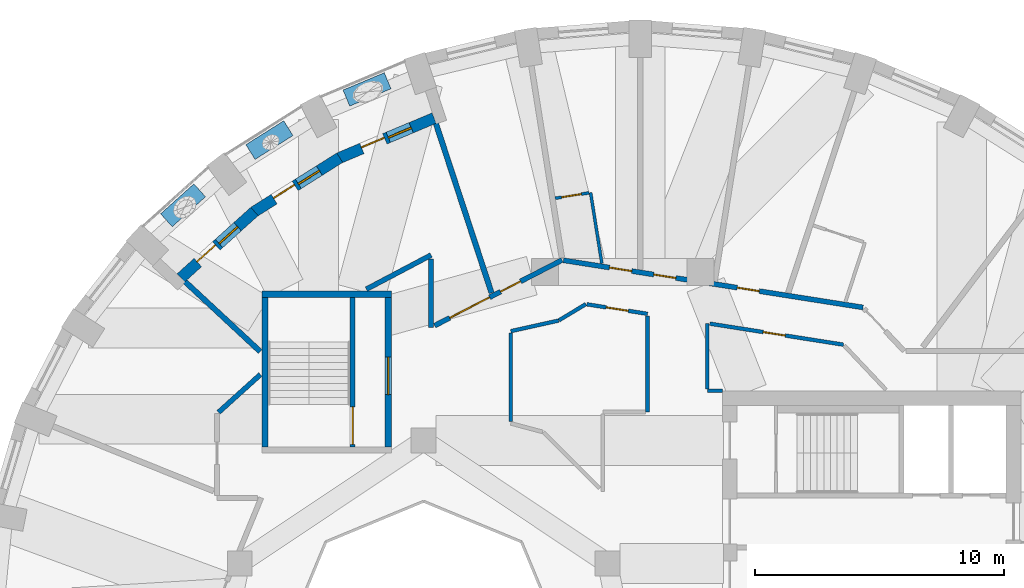
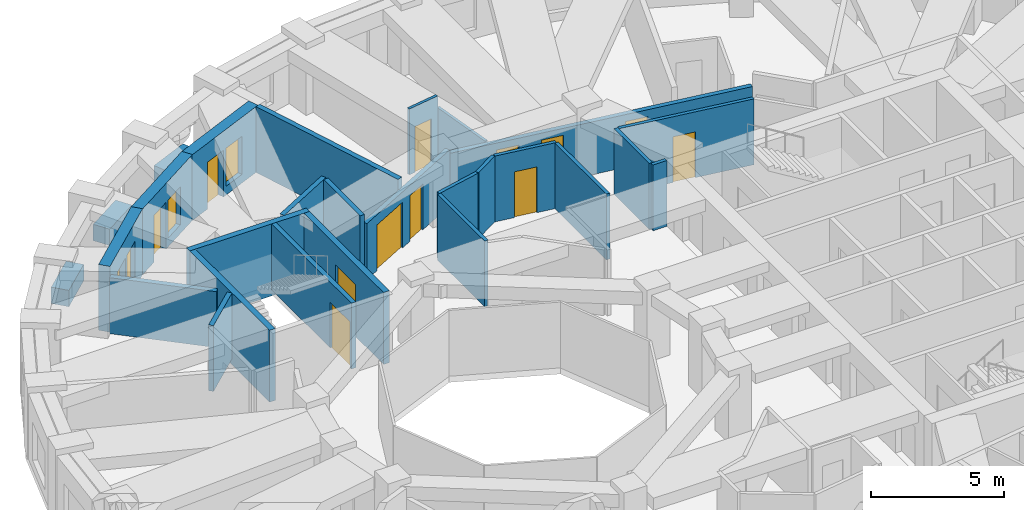
# One storey, part 7 of 12: 27 walls, 13 doors, 3 windows, 16 openings.
"""IFC4 building model written with IfcOpenShell, lengths in metres."""

import ifcopenshell
import ifcopenshell.guid

model = None  # the IFC model being written
_history = None  # IfcOwnerHistory: only IFC2X3 demands one
_inside = {}  # id of a spatial element -> (the spatial element, [elements in it])
_under = {}  # id of a project, library or spatial element -> (it, [spatial elements below it])
_declared = {}  # id of a project -> (the project, [libraries it declares])
_typed = {}  # id of a type object -> (the type object, [elements of that type])
_made_of = {}  # id of a material, layer set ... -> (it, [elements and type objects made of it])


def new_model(schema):
    """Start an empty IFC model of exactly this schema.

    Asked for "IFC4X3", IfcOpenShell would pick the latest addendum, in which some entities
    have other attributes; the version numbers below select the first issue.
    IFC2X3 requires an IfcOwnerHistory on every rooted entity: one is made here for all.
    """
    global model, _history
    if schema == "IFC4X3":
        model = ifcopenshell.file(schema_version=(4, 3, 0, 0))
    else:
        model = ifcopenshell.file(schema=schema)
    _inside.clear()
    _under.clear()
    _declared.clear()
    _typed.clear()
    _made_of.clear()
    _history = None
    if model.schema == "IFC2X3":
        org = make("IfcOrganization", Name="unknown")
        user = make(
            "IfcPersonAndOrganization",
            ThePerson=make("IfcPerson", FamilyName="unknown"),
            TheOrganization=org,
        )
        app = make(
            "IfcApplication",
            ApplicationDeveloper=org,
            Version="unknown",
            ApplicationFullName="unknown",
            ApplicationIdentifier="unknown",
        )
        _history = make(
            "IfcOwnerHistory",
            OwningUser=user,
            OwningApplication=app,
            ChangeAction="ADDED",
            CreationDate=0,
        )
    return model


def make(cls, **values):
    """One entity of the class cls with the attributes given. An attribute that is None is left unset."""
    return model.create_entity(
        cls, **{name: value for name, value in values.items() if value is not None}
    )


def rooted(cls, **values):
    """An entity with a GlobalId (a new one), such as an element, a storey or a relation."""
    return make(cls, GlobalId=ifcopenshell.guid.new(), OwnerHistory=_history, **values)


def si_unit(unit_type, name, prefix=None):
    """IfcSIUnit, for example si_unit("LENGTHUNIT", "METRE", prefix="MILLI")."""
    return make("IfcSIUnit", UnitType=unit_type, Prefix=prefix, Name=name)


def assignment(units):
    """IfcUnitAssignment: the units of a project."""
    return None if units is None else make("IfcUnitAssignment", Units=units)


def point(xyz):
    """IfcCartesianPoint."""
    return None if xyz is None else make("IfcCartesianPoint", Coordinates=xyz)


def direction(xyz):
    """IfcDirection."""
    return None if xyz is None else make("IfcDirection", DirectionRatios=xyz)


def frame(location, z_axis=None, x_axis=None):
    """IfcAxis2Placement3D, a coordinate frame: its origin and axes. An axis left out is left unset."""
    return make(
        "IfcAxis2Placement3D",
        Location=point(location),
        Axis=direction(z_axis),
        RefDirection=direction(x_axis),
    )


def frame_2d(location, x_axis=None):
    """IfcAxis2Placement2D, a coordinate frame in the plane: its origin and x axis."""
    return make(
        "IfcAxis2Placement2D", Location=point(location), RefDirection=direction(x_axis)
    )


def origin():
    """The frame at (0, 0, 0) with its axes left unset."""
    return frame((0.0, 0.0, 0.0))


def place(relative_to, where):
    """IfcLocalPlacement: puts the frame where relative to a parent placement (None: the world)."""
    return make(
        "IfcLocalPlacement", PlacementRelTo=relative_to, RelativePlacement=where
    )


def context(
    kind, dimensions, precision=None, world=None, true_north=None, identifier=None
):
    """IfcGeometricRepresentationContext, for example the 3D "Model" context."""
    return make(
        "IfcGeometricRepresentationContext",
        ContextIdentifier=identifier,
        ContextType=kind,
        CoordinateSpaceDimension=dimensions,
        Precision=precision,
        WorldCoordinateSystem=world,
        TrueNorth=true_north,
    )


def subcontext(parent, identifier, kind, view, scale=None):
    """IfcGeometricRepresentationSubContext, for example "Body" below "Model"."""
    return make(
        "IfcGeometricRepresentationSubContext",
        ContextIdentifier=identifier,
        ContextType=kind,
        ParentContext=parent,
        TargetScale=scale,
        TargetView=view,
    )


def project(units=None, contexts=None):
    """IfcProject with its units and contexts."""
    return rooted(
        "IfcProject",
        Name="project",
        RepresentationContexts=contexts,
        UnitsInContext=assignment(units),
    )


def spatial(cls, under=None, at=None, **own):
    """A site, building, storey or space (cls), placed at a placement, below another one or the project."""
    s = rooted(cls, ObjectPlacement=at, **own)
    if under is not None:
        _under.setdefault(under.id(), (under, []))[1].append(s)
    return s


def profile(cls, at=None, kind="AREA", **sizes):
    """A parametric profile (cls). Its sizes go by their IFC names, for example OverallWidth=200.0."""
    return make(cls, ProfileType=kind, Position=at, **sizes)


def rectangle(**sizes):
    """IfcRectangleProfileDef."""
    return profile("IfcRectangleProfileDef", **sizes)


def extrude(swept, where, along, depth):
    """IfcExtrudedAreaSolid: the profile swept, set in the frame where, extruded along a direction by depth."""
    return make(
        "IfcExtrudedAreaSolid",
        SweptArea=swept,
        Position=where,
        ExtrudedDirection=direction(along),
        Depth=depth,
    )


def shape(context_of_items, identifier, shape_type, items):
    """IfcShapeRepresentation: the items that make up one representation, for example the "Body"."""
    return make(
        "IfcShapeRepresentation",
        ContextOfItems=context_of_items,
        RepresentationIdentifier=identifier,
        RepresentationType=shape_type,
        Items=items,
    )


def material(Name=None, Category=None):
    """IfcMaterial."""
    return make("IfcMaterial", Name=Name, Category=Category)


def layer(
    of_material, thickness, ventilated=None, Name=None, Category=None, Priority=None
):
    """IfcMaterialLayer: one layer of a wall or slab, of a material (None: an air gap)."""
    return make(
        "IfcMaterialLayer",
        Material=of_material,
        LayerThickness=thickness,
        IsVentilated=ventilated,
        Name=Name,
        Category=Category,
        Priority=Priority,
    )


def layer_set(layers, Name=None):
    """IfcMaterialLayerSet."""
    return make("IfcMaterialLayerSet", MaterialLayers=layers, LayerSetName=Name)


def constituent(of_material, Name=None, Category=None, fraction=None):
    """IfcMaterialConstituent: one of the materials an element consists of."""
    return make(
        "IfcMaterialConstituent",
        Name=Name,
        Material=of_material,
        Fraction=fraction,
        Category=Category,
    )


def constituent_set(constituents=None, Name=None):
    """IfcMaterialConstituentSet."""
    return make(
        "IfcMaterialConstituentSet", Name=Name, MaterialConstituents=constituents
    )


def made_of(thing, what):
    """Note that an element or type object is made of a material, layer set ...; save() writes the relation."""
    if what is not None:
        _made_of.setdefault(what.id(), (what, []))[1].append(thing)
    return thing


def type_object(cls, material=None, **own):
    """A type object (cls), such as IfcWallType, which elements share."""
    return made_of(rooted(cls, **own), material)


def element(
    cls,
    number,
    at=None,
    inside=None,
    cuts=None,
    type_object=None,
    material=None,
    context=None,
    identifier="Body",
    shape_type=None,
    held_by="IfcProductDefinitionShape",
    body=None,
    shapes=None,
    **own,
):
    """One element of the class cls, such as IfcWall. Its Tag is "e" and its number.

    at: its placement. inside: the storey or other place that contains it. cuts: it is an
    opening in that element (IfcRelVoidsElement). A single representation is given by context,
    identifier, shape_type and body (its items); several are given by shapes. held_by: the class
    of the entity that holds the representations. save() writes the other relations.
    """
    e = rooted(cls, Tag="e%d" % number, ObjectPlacement=at, **own)
    if body is not None:
        shapes = [shape(context, identifier, shape_type, body)]
    if shapes is not None:
        e.Representation = make(held_by, Representations=shapes)
    if inside is not None:
        _inside.setdefault(inside.id(), (inside, []))[1].append(e)
    if cuts is not None:
        rooted(
            "IfcRelVoidsElement", RelatingBuildingElement=cuts, RelatedOpeningElement=e
        )
    if type_object is not None:
        _typed.setdefault(type_object.id(), (type_object, []))[1].append(e)
    return made_of(e, material)


def fill(opening, filler):
    """IfcRelFillsElement: the door or window that sits in an opening."""
    return rooted(
        "IfcRelFillsElement",
        RelatingOpeningElement=opening,
        RelatedBuildingElement=filler,
    )


def aggregate(whole, parts):
    """IfcRelAggregates: a whole, such as a stair, and the parts it consists of."""
    return rooted("IfcRelAggregates", RelatingObject=whole, RelatedObjects=parts)


def save(model, path):
    """Write the relations noted so far, then the file.

    IfcRelAggregates (storeys below a building ...), IfcRelContainedInSpatialStructure (elements
    in a storey), IfcRelDefinesByType, IfcRelAssociatesMaterial and IfcRelDeclares: one each for
    every whole, place, type object, material and project.
    """
    for whole, parts in _under.values():
        aggregate(whole, parts)
    for where, things in _inside.values():
        rooted(
            "IfcRelContainedInSpatialStructure",
            RelatedElements=things,
            RelatingStructure=where,
        )
    for kind, things in _typed.values():
        rooted("IfcRelDefinesByType", RelatedObjects=things, RelatingType=kind)
    for what, things in _made_of.values():
        rooted("IfcRelAssociatesMaterial", RelatedObjects=things, RelatingMaterial=what)
    for by, libraries in _declared.values():
        rooted("IfcRelDeclares", RelatingContext=by, RelatedDefinitions=libraries)
    model.write(path)


model = new_model("IFC4")

# Units and contexts
model_context = context("Model", 3, precision=1e-05, world=origin(), true_north=direction((0.0, 1.0)))
body_context = subcontext(model_context, "Body", "Model", "MODEL_VIEW")
ifc_project = project(units=[si_unit("LENGTHUNIT", "METRE"), si_unit("AREAUNIT", "SQUARE_METRE"), si_unit("VOLUMEUNIT", "CUBIC_METRE"), si_unit("PLANEANGLEUNIT", "RADIAN"), si_unit("MASSUNIT", "GRAM", prefix="KILO")], contexts=[model_context])

# Site, building, storey
site_placement = place(None, origin())
site = spatial("IfcSite", under=ifc_project, at=site_placement, CompositionType="ELEMENT")
building_placement = place(site_placement, origin())
building = spatial("IfcBuilding", under=site, at=building_placement, Name="Taillehof Tower", CompositionType="ELEMENT")
storey_placement = place(building_placement, frame((0.0, 0.0, 212.300048828125)))
storey = spatial("IfcBuildingStorey", under=building, at=storey_placement, Name="L60", CompositionType="ELEMENT", Elevation=212.300048828125)

# Wall, openings, door, window
ifc_material_1 = material(Name="Brick masonry", Category="masonry")
ifc_layer_1 = layer(ifc_material_1, 0.449951171875)
ifc_layer_set_1 = layer_set([ifc_layer_1], Name="Brick infill wall 450")
wall_type_1 = type_object("IfcWallType", Name="Brick infill wall 450", PredefinedType="SOLIDWALL", material=ifc_layer_set_1)
wall_1_placement = place(storey_placement, frame((-7.57861328125, 20.9580078125, 0.0), z_axis=(0.0, 0.0, 1.0), x_axis=(-0.921750495838, -0.387783474923, 0.0)))
wall_1 = element("IfcWall", 1, at=wall_1_placement, inside=storey, type_object=wall_type_1, Name="Brick wall L60 pocket bay 12", PredefinedType="SOLIDWALL", context=body_context, shape_type="SweptSolid", body=[
    extrude(rectangle(XDim=4.150146484375, YDim=0.449951171875, at=frame_2d((2.0751953125, 0.0))), origin(), (0.0, 0.0, 1.0), 3.02001953125),
])
opening_1_placement = place(wall_1_placement, frame((1.0, 0.0, 0.39990234375)))
opening_1 = element("IfcOpeningElement", 2, at=opening_1_placement, cuts=wall_1, Name="Opening W5", PredefinedType="OPENING", context=body_context, shape_type="SweptSolid", body=[
    extrude(rectangle(XDim=1.0, YDim=1.75, at=frame_2d((0.5, 0.875))), frame((0.0, 0.23486328125, 0.0), z_axis=(0.0, -1.0, 0.0), x_axis=(1.0, 0.0, 0.0)), (0.0, 0.0, 1.0), 0.469970703125),
])
opening_2_placement = place(wall_1_placement, frame((2.150146484375, 0.0, 0.0)))
opening_2 = element("IfcOpeningElement", 3, at=opening_2_placement, cuts=wall_1, Name="Opening D6094", PredefinedType="OPENING", context=body_context, shape_type="SweptSolid", body=[
    extrude(rectangle(XDim=1.0, YDim=2.14990234375, at=frame_2d((0.5, 1.074951171875))), frame((0.0, 0.23486328125, 0.0), z_axis=(0.0, -1.0, 0.0), x_axis=(1.0, 0.0, 0.0)), (0.0, 0.0, 1.0), 0.469970703125),
])
ifc_material_2 = material(Name="Aluminium door frame with clear double glazing", Category="aluminium")
door_type_1 = type_object("IfcDoorType", Name="Balcony door 1000x2150", OperationType="SINGLE_SWING_RIGHT", PredefinedType="DOOR", material=ifc_material_2)
door_1_placement = place(opening_2_placement, frame((1.0, 0.0, 0.0), z_axis=(0.0, 0.0, 1.0), x_axis=(-1.0, 0.0, 0.0)))
door_1 = element("IfcDoor", 4, at=door_1_placement, inside=storey, type_object=door_type_1, Name="Balcony door L60 bay 12", OperationType="SINGLE_SWING_RIGHT", OverallHeight=2.14990234375, OverallWidth=1.0, PredefinedType="DOOR", context=body_context, shape_type="SweptSolid", body=[
    extrude(rectangle(XDim=1.0, YDim=2.14990234375, at=frame_2d((0.5, 1.074951171875))), frame((0.0, 0.0751953125, 0.0), z_axis=(0.0, -1.0, 0.0), x_axis=(1.0, 0.0, 0.0)), (0.0, 0.0, 1.0), 0.050048828125),
])
fill(opening_2, door_1)
ifc_material_3 = material(Name="Aluminium window frame with clear double glazing", Category="aluminium")
window_type = type_object("IfcWindowType", Name="Fixed window 1000x1750", PartitioningType="SINGLE_PANEL", PredefinedType="WINDOW", material=ifc_material_3)
window_1_placement = place(opening_1_placement, origin())
window_1 = element("IfcWindow", 5, at=window_1_placement, inside=storey, type_object=window_type, Name="W5", OverallHeight=1.75, OverallWidth=1.0, PartitioningType="SINGLE_PANEL", PredefinedType="WINDOW", context=body_context, shape_type="SweptSolid", body=[
    extrude(rectangle(XDim=1.0, YDim=1.75, at=frame_2d((0.5, 0.875))), frame((0.0, 0.034912109375, 0.0), z_axis=(0.0, -1.0, 0.0), x_axis=(1.0, 0.0, 0.0)), (0.0, 0.0, 1.0), 0.06005859375),
])
fill(opening_1, window_1)

wall_2_placement = place(storey_placement, frame((-11.37109375, 19.365966796875, 0.0), z_axis=(0.0, 0.0, 1.0), x_axis=(-0.845443515445, -0.534064848302, 0.0)))
wall_2 = element("IfcWall", 6, at=wall_2_placement, inside=storey, type_object=wall_type_1, Name="Brick wall L60 pocket bay 13", PredefinedType="SOLIDWALL", context=body_context, shape_type="SweptSolid", body=[
    extrude(rectangle(XDim=4.090576171875, YDim=0.449951171875, at=frame_2d((2.04541015625, 0.0))), origin(), (0.0, 0.0, 1.0), 3.02001953125),
])
opening_3_placement = place(wall_2_placement, frame((0.97021484375, 0.0, 0.39990234375)))
opening_3 = element("IfcOpeningElement", 7, at=opening_3_placement, cuts=wall_2, Name="Opening W5", PredefinedType="OPENING", context=body_context, shape_type="SweptSolid", body=[
    extrude(rectangle(XDim=1.0, YDim=1.75, at=frame_2d((0.5, 0.875))), frame((0.0, 0.23486328125, 0.0), z_axis=(0.0, -1.0, 0.0), x_axis=(1.0, 0.0, 0.0)), (0.0, 0.0, 1.0), 0.469970703125),
])
opening_4_placement = place(wall_2_placement, frame((2.1201171875, 0.0, 0.0)))
opening_4 = element("IfcOpeningElement", 8, at=opening_4_placement, cuts=wall_2, Name="Opening D6095", PredefinedType="OPENING", context=body_context, shape_type="SweptSolid", body=[
    extrude(rectangle(XDim=1.0, YDim=2.14990234375, at=frame_2d((0.5, 1.074951171875))), frame((0.0, 0.23486328125, 0.0), z_axis=(0.0, -1.0, 0.0), x_axis=(1.0, 0.0, 0.0)), (0.0, 0.0, 1.0), 0.469970703125),
])
door_2_placement = place(opening_4_placement, frame((1.0, 0.0, 0.0), z_axis=(0.0, 0.0, 1.0), x_axis=(-1.0, 0.0, 0.0)))
door_2 = element("IfcDoor", 9, at=door_2_placement, inside=storey, type_object=door_type_1, Name="Balcony door L60 bay 13", OperationType="SINGLE_SWING_LEFT", OverallHeight=2.14990234375, OverallWidth=1.0, PredefinedType="DOOR", context=body_context, shape_type="SweptSolid", body=[
    extrude(rectangle(XDim=1.0, YDim=2.14990234375, at=frame_2d((0.5, 1.074951171875))), frame((0.0, 0.0751953125, 0.0), z_axis=(0.0, -1.0, 0.0), x_axis=(1.0, 0.0, 0.0)), (0.0, 0.0, 1.0), 0.050048828125),
])
fill(opening_4, door_2)
window_2_placement = place(opening_3_placement, origin())
window_2 = element("IfcWindow", 10, at=window_2_placement, inside=storey, type_object=window_type, Name="W5", OverallHeight=1.75, OverallWidth=1.0, PartitioningType="SINGLE_PANEL", PredefinedType="WINDOW", context=body_context, shape_type="SweptSolid", body=[
    extrude(rectangle(XDim=1.0, YDim=1.75, at=frame_2d((0.5, 0.875))), frame((0.0, 0.034912109375, 0.0), z_axis=(0.0, -1.0, 0.0), x_axis=(1.0, 0.0, 0.0)), (0.0, 0.0, 1.0), 0.06005859375),
])
fill(opening_3, window_2)

wall_3_placement = place(storey_placement, frame((-14.798828125, 17.20458984375, 0.0), z_axis=(0.0, 0.0, 1.0), x_axis=(-0.742488361714, -0.669858964798, 0.0)))
wall_3 = element("IfcWall", 11, at=wall_3_placement, inside=storey, type_object=wall_type_1, Name="Brick wall L60 pocket bay 14", PredefinedType="SOLIDWALL", context=body_context, shape_type="SweptSolid", body=[
    extrude(rectangle(XDim=3.97998046875, YDim=0.449951171875, at=frame_2d((1.989990234375, 0.0))), origin(), (0.0, 0.0, 1.0), 3.02001953125),
])
opening_5_placement = place(wall_3_placement, frame((0.9150390625, 0.0, 0.39990234375)))
opening_5 = element("IfcOpeningElement", 12, at=opening_5_placement, cuts=wall_3, Name="Opening W5", PredefinedType="OPENING", context=body_context, shape_type="SweptSolid", body=[
    extrude(rectangle(XDim=1.0, YDim=1.75, at=frame_2d((0.5, 0.875))), frame((0.0, 0.23486328125, 0.0), z_axis=(0.0, -1.0, 0.0), x_axis=(1.0, 0.0, 0.0)), (0.0, 0.0, 1.0), 0.469970703125),
])
opening_6_placement = place(wall_3_placement, frame((2.06494140625, 0.0, 0.0)))
opening_6 = element("IfcOpeningElement", 13, at=opening_6_placement, cuts=wall_3, Name="Opening D6096", PredefinedType="OPENING", context=body_context, shape_type="SweptSolid", body=[
    extrude(rectangle(XDim=1.0, YDim=2.14990234375, at=frame_2d((0.5, 1.074951171875))), frame((0.0, 0.23486328125, 0.0), z_axis=(0.0, -1.0, 0.0), x_axis=(1.0, 0.0, 0.0)), (0.0, 0.0, 1.0), 0.469970703125),
])
door_3_placement = place(opening_6_placement, frame((1.0, 0.0, 0.0), z_axis=(0.0, 0.0, 1.0), x_axis=(-1.0, 0.0, 0.0)))
door_3 = element("IfcDoor", 14, at=door_3_placement, inside=storey, type_object=door_type_1, Name="Balcony door L60 bay 14", OperationType="SINGLE_SWING_LEFT", OverallHeight=2.14990234375, OverallWidth=1.0, PredefinedType="DOOR", context=body_context, shape_type="SweptSolid", body=[
    extrude(rectangle(XDim=1.0, YDim=2.14990234375, at=frame_2d((0.5, 1.074951171875))), frame((0.0, 0.0751953125, 0.0), z_axis=(0.0, -1.0, 0.0), x_axis=(1.0, 0.0, 0.0)), (0.0, 0.0, 1.0), 0.050048828125),
])
fill(opening_6, door_3)
window_3_placement = place(opening_5_placement, origin())
window_3 = element("IfcWindow", 15, at=window_3_placement, inside=storey, type_object=window_type, Name="W5", OverallHeight=1.75, OverallWidth=1.0, PartitioningType="SINGLE_PANEL", PredefinedType="WINDOW", context=body_context, shape_type="SweptSolid", body=[
    extrude(rectangle(XDim=1.0, YDim=1.75, at=frame_2d((0.5, 0.875))), frame((0.0, 0.034912109375, 0.0), z_axis=(0.0, -1.0, 0.0), x_axis=(1.0, 0.0, 0.0)), (0.0, 0.0, 1.0), 0.06005859375),
])
fill(opening_5, window_3)

# Walls
ifc_material_4 = material(Name="Gypsum board on steel studs, two layers each side", Category="steel")
ifc_layer_2 = layer(ifc_material_4, 0.199951171875)
ifc_layer_set_2 = layer_set([ifc_layer_2], Name="Compartment wall corridor 200")
wall_type_2 = type_object("IfcWallType", Name="Compartment wall corridor 200", PredefinedType="PARTITIONING", material=ifc_layer_set_2)
wall_4_placement = place(storey_placement, frame((-16.240478515625, 9.136474609375, 0.0), z_axis=(0.0, 0.0, 1.0), x_axis=(0.74251608424, 0.66982823518, 0.0)))
element("IfcWall", 16, at=wall_4_placement, inside=storey, type_object=wall_type_2, Name="Compartment wall", PredefinedType="PARTITIONING", context=body_context, shape_type="SweptSolid", body=[
    extrude(rectangle(XDim=2.263916015625, YDim=0.199951171875, at=frame_2d((1.1318359375, 0.0))), origin(), (0.0, 0.0, 1.0), 3.02001953125),
])
wall_5_placement = place(storey_placement, frame((-10.303955078125, 14.08056640625, 0.0), z_axis=(0.0, 0.0, 1.0), x_axis=(0.884325802624, 0.466870297635, 0.0)))
element("IfcWall", 17, at=wall_5_placement, inside=storey, type_object=wall_type_2, Name="Compartment wall", PredefinedType="PARTITIONING", context=body_context, shape_type="SweptSolid", body=[
    extrude(rectangle(XDim=2.944580078125, YDim=0.199951171875, at=frame_2d((1.47216796875, 0.0))), origin(), (0.0, 0.0, 1.0), 3.02001953125),
])
wall_6_placement = place(storey_placement, frame((-7.699951171875, 15.295166015625, 0.0), z_axis=(0.0, 0.0, 1.0), x_axis=(0.0, -1.0, 0.0)))
element("IfcWall", 18, at=wall_6_placement, inside=storey, type_object=wall_type_2, Name="Compartment wall", PredefinedType="PARTITIONING", context=body_context, shape_type="SweptSolid", body=[
    extrude(rectangle(XDim=2.748779296875, YDim=0.199951171875, at=frame_2d((1.37451171875, 0.0))), origin(), (0.0, 0.0, 1.0), 3.02001953125),
])

# Wall, openings, doors
wall_7_placement = place(storey_placement, frame((-7.557373046875, 12.61865234375, 0.0), z_axis=(0.0, 0.0, 1.0), x_axis=(0.889086035914, 0.457740123588, 0.0)))
wall_7 = element("IfcWall", 19, at=wall_7_placement, inside=storey, type_object=wall_type_2, Name="Compartment wall", PredefinedType="PARTITIONING", context=body_context, shape_type="SweptSolid", body=[
    extrude(rectangle(XDim=5.75341796875, YDim=0.199951171875, at=frame_2d((2.876708984375, 0.0))), origin(), (0.0, 0.0, 1.0), 2.570068359375),
])
opening_7_placement = place(wall_7_placement, frame((2.983154296875, 0.0, 0.0)))
opening_7 = element("IfcOpeningElement", 20, at=opening_7_placement, cuts=wall_7, Name="Opening D6046", PredefinedType="OPENING", context=body_context, shape_type="SweptSolid", body=[
    extrude(rectangle(XDim=0.89990234375, YDim=2.10009765625, at=frame_2d((0.449951171875, 1.050048828125))), frame((0.0, 0.10986328125, 0.0), z_axis=(0.0, -1.0, 0.0), x_axis=(1.0, 0.0, 0.0)), (0.0, 0.0, 1.0), 0.219970703125),
])
opening_8_placement = place(wall_7_placement, frame((0.6845703125, 0.0, 0.0)))
opening_8 = element("IfcOpeningElement", 21, at=opening_8_placement, cuts=wall_7, Name="Opening D6047", PredefinedType="OPENING", context=body_context, shape_type="SweptSolid", body=[
    extrude(rectangle(XDim=1.800048828125, YDim=2.10009765625, at=frame_2d((0.89990234375, 1.050048828125))), frame((0.0, 0.10986328125, 0.0), z_axis=(0.0, -1.0, 0.0), x_axis=(1.0, 0.0, 0.0)), (0.0, 0.0, 1.0), 0.219970703125),
])
ifc_material_5 = material(Name="Timber door leaf in steel frame", Category="steel")
door_type_2 = type_object("IfcDoorType", Name="Lounge and meeting room double door EI 30 1800 x 2100", OperationType="SINGLE_SWING_LEFT", PredefinedType="DOOR", material=ifc_material_5)
door_4_placement = place(opening_8_placement, origin())
door_4 = element("IfcDoor", 22, at=door_4_placement, inside=storey, type_object=door_type_2, Name="D6047", OperationType="DOUBLE_DOOR_SINGLE_SWING", OverallHeight=2.10009765625, OverallWidth=1.800048828125, PredefinedType="DOOR", context=body_context, shape_type="SweptSolid", body=[
    extrude(rectangle(XDim=1.800048828125, YDim=2.10009765625, at=frame_2d((0.89990234375, 1.050048828125))), frame((0.0, 0.02490234375, 0.0), z_axis=(0.0, -1.0, 0.0), x_axis=(1.0, 0.0, 0.0)), (0.0, 0.0, 1.0), 0.050048828125),
])
fill(opening_8, door_4)
ifc_material_6 = material(Name="Timber door leaf in steel frame", Category="steel")
door_type_3 = type_object("IfcDoorType", Name="Service room door EI 30 900 x 2100", OperationType="SINGLE_SWING_LEFT", PredefinedType="DOOR", material=ifc_material_6)
door_5_placement = place(opening_7_placement, origin())
door_5 = element("IfcDoor", 23, at=door_5_placement, inside=storey, type_object=door_type_3, Name="D6046", OperationType="SINGLE_SWING_LEFT", OverallHeight=2.10009765625, OverallWidth=0.89990234375, PredefinedType="DOOR", context=body_context, shape_type="SweptSolid", body=[
    extrude(rectangle(XDim=0.89990234375, YDim=2.10009765625, at=frame_2d((0.449951171875, 1.050048828125))), frame((0.0, 0.02490234375, 0.0), z_axis=(0.0, -1.0, 0.0), x_axis=(1.0, 0.0, 0.0)), (0.0, 0.0, 1.0), 0.050048828125),
])
fill(opening_7, door_5)

wall_8_placement = place(storey_placement, frame((-2.3828125, 15.24267578125, 0.0), z_axis=(0.0, 0.0, 1.0), x_axis=(0.987842256944, -0.15545956193, 0.0)))
wall_8 = element("IfcWall", 24, at=wall_8_placement, inside=storey, type_object=wall_type_2, Name="Compartment wall", PredefinedType="PARTITIONING", context=body_context, shape_type="SweptSolid", body=[
    extrude(rectangle(XDim=12.188232421875, YDim=0.199951171875, at=frame_2d((6.09423828125, 0.0))), origin(), (0.0, 0.0, 1.0), 2.419921875),
])
opening_9_placement = place(wall_8_placement, frame((7.06884765625, 0.0, 0.0)))
opening_9 = element("IfcOpeningElement", 25, at=opening_9_placement, cuts=wall_8, Name="Opening D6042", PredefinedType="OPENING", context=body_context, shape_type="SweptSolid", body=[
    extrude(rectangle(XDim=0.89990234375, YDim=2.10009765625, at=frame_2d((0.449951171875, 1.050048828125))), frame((0.0, 0.10986328125, 0.0), z_axis=(0.0, -1.0, 0.0), x_axis=(1.0, 0.0, 0.0)), (0.0, 0.0, 1.0), 0.219970703125),
])
opening_10_placement = place(wall_8_placement, frame((3.67578125, 0.0, 0.0)))
opening_10 = element("IfcOpeningElement", 26, at=opening_10_placement, cuts=wall_8, Name="Opening D6043", PredefinedType="OPENING", context=body_context, shape_type="SweptSolid", body=[
    extrude(rectangle(XDim=0.89990234375, YDim=2.10009765625, at=frame_2d((0.449951171875, 1.050048828125))), frame((0.0, 0.10986328125, 0.0), z_axis=(0.0, -1.0, 0.0), x_axis=(1.0, 0.0, 0.0)), (0.0, 0.0, 1.0), 0.219970703125),
])
opening_11_placement = place(wall_8_placement, frame((1.875244140625, 0.0, 0.0)))
opening_11 = element("IfcOpeningElement", 27, at=opening_11_placement, cuts=wall_8, Name="Opening D6044", PredefinedType="OPENING", context=body_context, shape_type="SweptSolid", body=[
    extrude(rectangle(XDim=0.89990234375, YDim=2.10009765625, at=frame_2d((0.449951171875, 1.050048828125))), frame((0.0, 0.10986328125, 0.0), z_axis=(0.0, -1.0, 0.0), x_axis=(1.0, 0.0, 0.0)), (0.0, 0.0, 1.0), 0.219970703125),
])
ifc_material_7 = material(Name="Timber door leaf in steel frame", Category="steel")
door_type_4 = type_object("IfcDoorType", Name="Guest room door EI 30 900 x 2100", OperationType="SINGLE_SWING_LEFT", PredefinedType="DOOR", material=ifc_material_7)
door_6_placement = place(opening_11_placement, origin())
door_6 = element("IfcDoor", 28, at=door_6_placement, inside=storey, type_object=door_type_4, Name="D6044", OperationType="SINGLE_SWING_RIGHT", OverallHeight=2.10009765625, OverallWidth=0.89990234375, PredefinedType="DOOR", context=body_context, shape_type="SweptSolid", body=[
    extrude(rectangle(XDim=0.89990234375, YDim=2.10009765625, at=frame_2d((0.449951171875, 1.050048828125))), frame((0.0, 0.02490234375, 0.0), z_axis=(0.0, -1.0, 0.0), x_axis=(1.0, 0.0, 0.0)), (0.0, 0.0, 1.0), 0.050048828125),
])
fill(opening_11, door_6)
door_7_placement = place(opening_9_placement, origin())
door_7 = element("IfcDoor", 29, at=door_7_placement, inside=storey, type_object=door_type_3, Name="D6042", OperationType="SINGLE_SWING_LEFT", OverallHeight=2.10009765625, OverallWidth=0.89990234375, PredefinedType="DOOR", context=body_context, shape_type="SweptSolid", body=[
    extrude(rectangle(XDim=0.89990234375, YDim=2.10009765625, at=frame_2d((0.449951171875, 1.050048828125))), frame((0.0, 0.02490234375, 0.0), z_axis=(0.0, -1.0, 0.0), x_axis=(1.0, 0.0, 0.0)), (0.0, 0.0, 1.0), 0.050048828125),
])
fill(opening_9, door_7)
door_8_placement = place(opening_10_placement, origin())
door_8 = element("IfcDoor", 30, at=door_8_placement, inside=storey, type_object=door_type_3, Name="D6043", OperationType="SINGLE_SWING_LEFT", OverallHeight=2.10009765625, OverallWidth=0.89990234375, PredefinedType="DOOR", context=body_context, shape_type="SweptSolid", body=[
    extrude(rectangle(XDim=0.89990234375, YDim=2.10009765625, at=frame_2d((0.449951171875, 1.050048828125))), frame((0.0, 0.02490234375, 0.0), z_axis=(0.0, -1.0, 0.0), x_axis=(1.0, 0.0, 0.0)), (0.0, 0.0, 1.0), 0.050048828125),
])
fill(opening_10, door_8)

# Walls
ifc_material_8 = material(Name="Gypsum board on double steel studs with mineral wool", Category="steel")
ifc_layer_3 = layer(ifc_material_8, 0.219970703125)
ifc_layer_set_3 = layer_set([ifc_layer_3], Name="Compartment wall guest room 220")
wall_type_3 = type_object("IfcWallType", Name="Compartment wall guest room 220", PredefinedType="PARTITIONING", material=ifc_layer_set_3)
wall_9_placement = place(storey_placement, frame((-7.508056640625, 20.743408203125, 0.0), z_axis=(0.0, 0.0, 1.0), x_axis=(0.31199567476, -0.950083522082, 0.0)))
element("IfcWall", 31, at=wall_9_placement, inside=storey, type_object=wall_type_3, Name="Compartment wall", PredefinedType="PARTITIONING", context=body_context, shape_type="SweptSolid", body=[
    extrude(rectangle(XDim=7.170166015625, YDim=0.219970703125, at=frame_2d((3.5849609375, 0.0))), origin(), (0.0, 0.0, 1.0), 3.02001953125),
])
wall_10_placement = place(storey_placement, frame((-17.588623046875, 14.384765625, 0.0), z_axis=(0.0, 0.0, 1.0), x_axis=(0.732287016614, -0.680996127227, 0.0)))
element("IfcWall", 32, at=wall_10_placement, inside=storey, type_object=wall_type_3, Name="Compartment wall", PredefinedType="PARTITIONING", context=body_context, shape_type="SweptSolid", body=[
    extrude(rectangle(XDim=4.1220703125, YDim=0.219970703125, at=frame_2d((2.06103515625, 0.0))), origin(), (0.0, 0.0, 1.0), 2.570068359375),
])
ifc_material_9 = material(Name="Gypsum board on steel studs, two layers each side", Category="steel")
ifc_layer_4 = layer(ifc_material_9, 0.14990234375)
ifc_layer_set_4 = layer_set([ifc_layer_4], Name="Compartment wall service room 150")
wall_type_4 = type_object("IfcWallType", Name="Compartment wall service room 150", PredefinedType="PARTITIONING", material=ifc_layer_set_4)
wall_11_placement = place(storey_placement, frame((4.0009765625, 10.0, 0.0), z_axis=(0.0, 0.0, 1.0), x_axis=(-1.0, 0.0, 0.0)))
element("IfcWall", 33, at=wall_11_placement, inside=storey, type_object=wall_type_4, Name="Compartment wall", PredefinedType="PARTITIONING", context=body_context, shape_type="SweptSolid", body=[
    extrude(rectangle(XDim=0.60107421875, YDim=0.14990234375, at=frame_2d((0.300537109375, 0.0))), origin(), (0.0, 0.0, 1.0), 3.02001953125),
])
wall_12_placement = place(storey_placement, frame((3.39990234375, 10.080078125, 0.0), z_axis=(0.0, 0.0, 1.0), x_axis=(0.0, 1.0, 0.0)))
element("IfcWall", 34, at=wall_12_placement, inside=storey, type_object=wall_type_4, Name="Compartment wall", PredefinedType="PARTITIONING", context=body_context, shape_type="SweptSolid", body=[
    extrude(rectangle(XDim=2.6328125, YDim=0.14990234375, at=frame_2d((1.31640625, 0.0))), origin(), (0.0, 0.0, 1.0), 3.02001953125),
])

# Wall, opening, door
wall_13_placement = place(storey_placement, frame((3.498779296875, 12.697021484375, 0.0), z_axis=(0.0, 0.0, 1.0), x_axis=(0.987853106423, -0.155390605029, 0.0)))
wall_13 = element("IfcWall", 35, at=wall_13_placement, inside=storey, type_object=wall_type_4, Name="Compartment wall", PredefinedType="PARTITIONING", context=body_context, shape_type="SweptSolid", body=[
    extrude(rectangle(XDim=5.43603515625, YDim=0.14990234375, at=frame_2d((2.718017578125, 0.0))), origin(), (0.0, 0.0, 1.0), 3.02001953125),
])
opening_12_placement = place(wall_13_placement, frame((2.166748046875, 0.0, 0.0)))
opening_12 = element("IfcOpeningElement", 36, at=opening_12_placement, cuts=wall_13, Name="Opening D6065", PredefinedType="OPENING", context=body_context, shape_type="SweptSolid", body=[
    extrude(rectangle(XDim=0.89990234375, YDim=2.10009765625, at=frame_2d((0.449951171875, 1.050048828125))), frame((0.0, 0.0849609375, 0.0), z_axis=(0.0, -1.0, 0.0), x_axis=(1.0, 0.0, 0.0)), (0.0, 0.0, 1.0), 0.169921875),
])
door_9_placement = place(opening_12_placement, origin())
door_9 = element("IfcDoor", 37, at=door_9_placement, inside=storey, type_object=door_type_3, Name="D6065", OperationType="SINGLE_SWING_RIGHT", OverallHeight=2.10009765625, OverallWidth=0.89990234375, PredefinedType="DOOR", context=body_context, shape_type="SweptSolid", body=[
    extrude(rectangle(XDim=0.89990234375, YDim=2.10009765625, at=frame_2d((0.449951171875, 1.050048828125))), frame((0.0, 0.02490234375, 0.0), z_axis=(0.0, -1.0, 0.0), x_axis=(1.0, 0.0, 0.0)), (0.0, 0.0, 1.0), 0.050048828125),
])
fill(opening_12, door_9)

# Walls
wall_14_placement = place(storey_placement, frame((-4.5, 12.393798828125, 0.0), z_axis=(0.0, 0.0, 1.0), x_axis=(0.976122911094, 0.217218927437, 0.0)))
element("IfcWall", 38, at=wall_14_placement, inside=storey, type_object=wall_type_4, Name="Compartment wall", PredefinedType="PARTITIONING", context=body_context, shape_type="SweptSolid", body=[
    extrude(rectangle(XDim=1.971435546875, YDim=0.14990234375, at=frame_2d((0.98583984375, 0.0))), origin(), (0.0, 0.0, 1.0), 3.02001953125),
])
wall_15_placement = place(storey_placement, frame((-2.55859375, 12.832275390625, 0.0), z_axis=(0.0, 0.0, 1.0), x_axis=(0.85627358004, 0.5165225611, 0.0)))
element("IfcWall", 39, at=wall_15_placement, inside=storey, type_object=wall_type_4, Name="Compartment wall", PredefinedType="PARTITIONING", context=body_context, shape_type="SweptSolid", body=[
    extrude(rectangle(XDim=1.2568359375, YDim=0.14990234375, at=frame_2d((0.62841796875, 0.0))), origin(), (0.0, 0.0, 1.0), 3.02001953125),
])

# Wall, opening, door
wall_16_placement = place(storey_placement, frame((-1.44287109375, 13.47509765625, 0.0), z_axis=(0.0, 0.0, 1.0), x_axis=(0.987852456019, -0.155394739734, 0.0)))
wall_16 = element("IfcWall", 40, at=wall_16_placement, inside=storey, type_object=wall_type_4, Name="Compartment wall", PredefinedType="PARTITIONING", context=body_context, shape_type="SweptSolid", body=[
    extrude(rectangle(XDim=2.472900390625, YDim=0.14990234375, at=frame_2d((1.236328125, 0.0))), origin(), (0.0, 0.0, 1.0), 3.02001953125),
])
opening_13_placement = place(wall_16_placement, frame((0.786376953125, 0.0, 0.0)))
opening_13 = element("IfcOpeningElement", 41, at=opening_13_placement, cuts=wall_16, Name="Opening D6066", PredefinedType="OPENING", context=body_context, shape_type="SweptSolid", body=[
    extrude(rectangle(XDim=0.89990234375, YDim=2.10009765625, at=frame_2d((0.449951171875, 1.050048828125))), frame((0.0, 0.0849609375, 0.0), z_axis=(0.0, -1.0, 0.0), x_axis=(1.0, 0.0, 0.0)), (0.0, 0.0, 1.0), 0.169921875),
])
door_10_placement = place(opening_13_placement, origin())
door_10 = element("IfcDoor", 42, at=door_10_placement, inside=storey, type_object=door_type_3, Name="D6066", OperationType="SINGLE_SWING_RIGHT", OverallHeight=2.10009765625, OverallWidth=0.89990234375, PredefinedType="DOOR", context=body_context, shape_type="SweptSolid", body=[
    extrude(rectangle(XDim=0.89990234375, YDim=2.10009765625, at=frame_2d((0.449951171875, 1.050048828125))), frame((0.0, 0.02490234375, 0.0), z_axis=(0.0, -1.0, 0.0), x_axis=(1.0, 0.0, 0.0)), (0.0, 0.0, 1.0), 0.050048828125),
])
fill(opening_13, door_10)

# Walls
wall_17_placement = place(storey_placement, frame((1.0, 13.0107421875, 0.0), z_axis=(0.0, 0.0, 1.0), x_axis=(0.0, -1.0, 0.0)))
element("IfcWall", 43, at=wall_17_placement, inside=storey, type_object=wall_type_4, Name="Compartment wall", PredefinedType="PARTITIONING", context=body_context, shape_type="SweptSolid", body=[
    extrude(rectangle(XDim=3.86083984375, YDim=0.14990234375, at=frame_2d((1.930419921875, 0.0))), origin(), (0.0, 0.0, 1.0), 3.02001953125),
])
wall_18_placement = place(storey_placement, frame((-4.5, 8.770263671875, 0.0), z_axis=(0.0, 0.0, 1.0), x_axis=(0.0, 1.0, 0.0)))
element("IfcWall", 44, at=wall_18_placement, inside=storey, type_object=wall_type_4, Name="Compartment wall", PredefinedType="PARTITIONING", context=body_context, shape_type="SweptSolid", body=[
    extrude(rectangle(XDim=3.54345703125, YDim=0.14990234375, at=frame_2d((1.771728515625, 0.0))), origin(), (0.0, 0.0, 1.0), 3.02001953125),
])
ifc_material_10 = material(Name="Gypsum board on steel studs, moisture resistant", Category="steel")
ifc_layer_5 = layer(ifc_material_10, 0.1201171875)
ifc_layer_set_5 = layer_set([ifc_layer_5], Name="En-suite wall 120")
wall_type_5 = type_object("IfcWallType", Name="En-suite wall 120", PredefinedType="PARTITIONING", material=ifc_layer_set_5)
wall_19_placement = place(storey_placement, frame((-0.839111328125, 15.120361328125, 0.0), z_axis=(0.0, 0.0, 1.0), x_axis=(-0.157021029468, 0.987595259357, 0.0)))
element("IfcWall", 45, at=wall_19_placement, inside=storey, type_object=wall_type_5, Name="En-suite wall", PredefinedType="PARTITIONING", context=body_context, shape_type="SweptSolid", body=[
    extrude(rectangle(XDim=2.8779296875, YDim=0.1201171875, at=frame_2d((1.43896484375, 0.0))), origin(), (0.0, 0.0, 1.0), 2.469970703125),
])

# Wall, opening, door
wall_20_placement = place(storey_placement, frame((-1.350341796875, 17.953125, 0.0), z_axis=(0.0, 0.0, 1.0), x_axis=(-0.987585919897, -0.157079759425, 0.0)))
wall_20 = element("IfcWall", 46, at=wall_20_placement, inside=storey, type_object=wall_type_5, Name="En-suite wall", PredefinedType="PARTITIONING", context=body_context, shape_type="SweptSolid", body=[
    extrude(rectangle(XDim=1.380126953125, YDim=0.1201171875, at=frame_2d((0.68994140625, 0.0))), origin(), (0.0, 0.0, 1.0), 3.02001953125),
])
opening_14_placement = place(wall_20_placement, frame((0.31494140625, 0.0, 0.0)))
opening_14 = element("IfcOpeningElement", 47, at=opening_14_placement, cuts=wall_20, Name="Opening D6045", PredefinedType="OPENING", context=body_context, shape_type="SweptSolid", body=[
    extrude(rectangle(XDim=0.800048828125, YDim=2.10009765625, at=frame_2d((0.39990234375, 1.050048828125))), frame((0.0, 0.070068359375, 0.0), z_axis=(0.0, -1.0, 0.0), x_axis=(1.0, 0.0, 0.0)), (0.0, 0.0, 1.0), 0.14013671875),
])
ifc_material_11 = material(Name="Timber door leaf in steel frame", Category="steel")
door_type_5 = type_object("IfcDoorType", Name="En-suite door 800 x 2100", OperationType="SINGLE_SWING_LEFT", PredefinedType="DOOR", material=ifc_material_11)
door_11_placement = place(opening_14_placement, origin())
door_11 = element("IfcDoor", 48, at=door_11_placement, inside=storey, type_object=door_type_5, Name="D6045", OperationType="SINGLE_SWING_LEFT", OverallHeight=2.10009765625, OverallWidth=0.800048828125, PredefinedType="DOOR", context=body_context, shape_type="SweptSolid", body=[
    extrude(rectangle(XDim=0.800048828125, YDim=2.10009765625, at=frame_2d((0.39990234375, 1.050048828125))), frame((0.0, 0.02490234375, 0.0), z_axis=(0.0, -1.0, 0.0), x_axis=(1.0, 0.0, 0.0)), (0.0, 0.0, 1.0), 0.050048828125),
])
fill(opening_14, door_11)

# Walls
ifc_material_12 = material(Name="Concrete C30/37 precast", Category="concrete")
ifc_constituent_1 = constituent(ifc_material_12, Name="Structure", Category="concrete")
ifc_material_13 = material(Name="Insulated lining")
ifc_constituent_2 = constituent(ifc_material_13, Name="Lining")
ifc_constituent_set = constituent_set(constituents=[ifc_constituent_1, ifc_constituent_2], Name="Planter trough 700x750")
wall_type_6 = type_object("IfcWallType", Name="Planter trough 700x750", PredefinedType="USERDEFINED", material=ifc_constituent_set)
for number, where, z_axis, x_axis, name in (
    (49, (-9.446044921875, 22.458251953125, 0.0), (0.0, 0.0, 1.0), (-0.922155368213, -0.386819695564, 0.0), "Planter L60 bay 12"),
    (50, (-13.4365234375, 20.552490234375, 0.0), (0.0, 0.0, 1.0), (-0.84618753864, -0.532885212264, 0.0), "Planter L60 bay 13"),
    (51, (-16.999755859375, 18.054931640625, 0.0), (0.0, 0.0, 1.0), (-0.743422275143, -0.668822338758, 0.0), "Planter L60 bay 14"),
):
    element("IfcWall", number, at=place(storey_placement, frame(where, z_axis=z_axis, x_axis=x_axis)), inside=storey, type_object=wall_type_6, Name=name, ObjectType="PLANTER", PredefinedType="USERDEFINED", context=body_context, shape_type="SweptSolid", body=[
        extrude(rectangle(XDim=1.800048828125, YDim=0.699951171875, at=frame_2d((0.89990234375, 0.0))), origin(), (0.0, 0.0, 1.0), 0.75),
    ])

# Wall, opening, door
ifc_material_14 = material(Name="Concrete C50/60", Category="concrete")
ifc_layer_6 = layer(ifc_material_14, 0.199951171875)
ifc_layer_set_6 = layer_set([ifc_layer_6], Name="Shaft wall C50/60 200")
wall_type_7 = type_object("IfcWallType", Name="Shaft wall C50/60 200", PredefinedType="SHEAR", material=ifc_layer_set_6)
wall_21_placement = place(storey_placement, frame((-10.85009765625, 7.75, 0.0), z_axis=(0.0, 0.0, 1.0), x_axis=(0.0, 1.0, 0.0)))
wall_21 = element("IfcWall", 52, at=wall_21_placement, inside=storey, type_object=wall_type_7, Name="Shaft wall SW", PredefinedType="SHEAR", context=body_context, shape_type="SweptSolid", body=[
    extrude(rectangle(XDim=6.0, YDim=0.199951171875, at=frame_2d((3.0, 0.0))), origin(), (0.0, 0.0, 1.0), 3.02001953125),
])
opening_15_placement = place(wall_21_placement, frame((0.10009765625, 0.0, 0.0)))
opening_15 = element("IfcOpeningElement", 53, at=opening_15_placement, cuts=wall_21, Name="Opening D6012", PredefinedType="OPENING", context=body_context, shape_type="SweptSolid", body=[
    extrude(rectangle(XDim=1.5, YDim=2.10009765625, at=frame_2d((0.75, 1.050048828125))), frame((0.0, 0.10986328125, 0.0), z_axis=(0.0, -1.0, 0.0), x_axis=(1.0, 0.0, 0.0)), (0.0, 0.0, 1.0), 0.219970703125),
])
ifc_material_15 = material(Name="Steel-faced fire door", Category="steel")
door_type_6 = type_object("IfcDoorType", Name="Stair door 1500x2100", OperationType="DOUBLE_DOOR_SINGLE_SWING", PredefinedType="DOOR", material=ifc_material_15)
door_12_placement = place(opening_15_placement, origin())
door_12 = element("IfcDoor", 54, at=door_12_placement, inside=storey, type_object=door_type_6, Name="Stair lobby door S3", OperationType="DOUBLE_DOOR_SINGLE_SWING", OverallHeight=2.10009765625, OverallWidth=1.5, PredefinedType="DOOR", context=body_context, shape_type="SweptSolid", body=[
    extrude(rectangle(XDim=1.5, YDim=2.10009765625, at=frame_2d((0.75, 1.050048828125))), frame((0.0, 0.02490234375, 0.0), z_axis=(0.0, -1.0, 0.0), x_axis=(1.0, 0.0, 0.0)), (0.0, 0.0, 1.0), 0.050048828125),
])
fill(opening_15, door_12)

# Wall
ifc_material_16 = material(Name="Concrete C50/60", Category="concrete")
ifc_layer_7 = layer(ifc_material_16, 0.25)
ifc_layer_set_7 = layer_set([ifc_layer_7], Name="Stair wall C50/60 250")
wall_type_8 = type_object("IfcWallType", Name="Stair wall C50/60 250", PredefinedType="SHEAR", material=ifc_layer_set_7)
wall_22_placement = place(storey_placement, frame((-14.375, 7.75, -0.280029296875), z_axis=(0.0, 0.0, 1.0), x_axis=(0.0, 1.0, 0.0)))
element("IfcWall", 55, at=wall_22_placement, inside=storey, type_object=wall_type_8, Name="Stair wall SC", PredefinedType="SHEAR", context=body_context, shape_type="SweptSolid", body=[
    extrude(rectangle(XDim=6.0, YDim=0.25, at=frame_2d((3.0, 0.0))), origin(), (0.0, 0.0, 1.0), 3.300048828125),
])

# Wall, opening, door
wall_23_placement = place(storey_placement, frame((-9.425048828125, 7.75, -0.280029296875), z_axis=(0.0, 0.0, 1.0), x_axis=(0.0, 1.0, 0.0)))
wall_23 = element("IfcWall", 56, at=wall_23_placement, inside=storey, type_object=wall_type_8, Name="Stair wall SC", PredefinedType="SHEAR", context=body_context, shape_type="SweptSolid", body=[
    extrude(rectangle(XDim=6.0, YDim=0.25, at=frame_2d((3.0, 0.0))), origin(), (0.0, 0.0, 1.0), 3.300048828125),
])
opening_16_placement = place(wall_23_placement, frame((2.10009765625, 0.0, 0.280029296875)))
opening_16 = element("IfcOpeningElement", 57, at=opening_16_placement, cuts=wall_23, Name="Opening D6015", PredefinedType="OPENING", context=body_context, shape_type="SweptSolid", body=[
    extrude(rectangle(XDim=1.5, YDim=2.10009765625, at=frame_2d((0.75, 1.050048828125))), frame((0.0, 0.135009765625, 0.0), z_axis=(0.0, -1.0, 0.0), x_axis=(1.0, 0.0, 0.0)), (0.0, 0.0, 1.0), 0.27001953125),
])
door_13_placement = place(opening_16_placement, origin())
door_13 = element("IfcDoor", 58, at=door_13_placement, inside=storey, type_object=door_type_6, Name="Stair door S3", OperationType="DOUBLE_DOOR_SINGLE_SWING", OverallHeight=2.10009765625, OverallWidth=1.5, PredefinedType="DOOR", context=body_context, shape_type="SweptSolid", body=[
    extrude(rectangle(XDim=1.5, YDim=2.10009765625, at=frame_2d((0.75, 1.050048828125))), frame((0.0, 0.02490234375, 0.0), z_axis=(0.0, -1.0, 0.0), x_axis=(1.0, 0.0, 0.0)), (0.0, 0.0, 1.0), 0.050048828125),
])
fill(opening_16, door_13)

# Wall
wall_24_placement = place(storey_placement, frame((-14.5, 13.875, -0.280029296875), z_axis=(0.0, 0.0, 1.0), x_axis=(1.0, 0.0, 0.0)))
element("IfcWall", 59, at=wall_24_placement, inside=storey, type_object=wall_type_8, Name="Stair wall SC", PredefinedType="SHEAR", context=body_context, shape_type="SweptSolid", body=[
    extrude(rectangle(XDim=5.199951171875, YDim=0.25, at=frame_2d((2.60009765625, 0.0))), origin(), (0.0, 0.0, 1.0), 3.300048828125),
])

save(model, "model.ifc")
